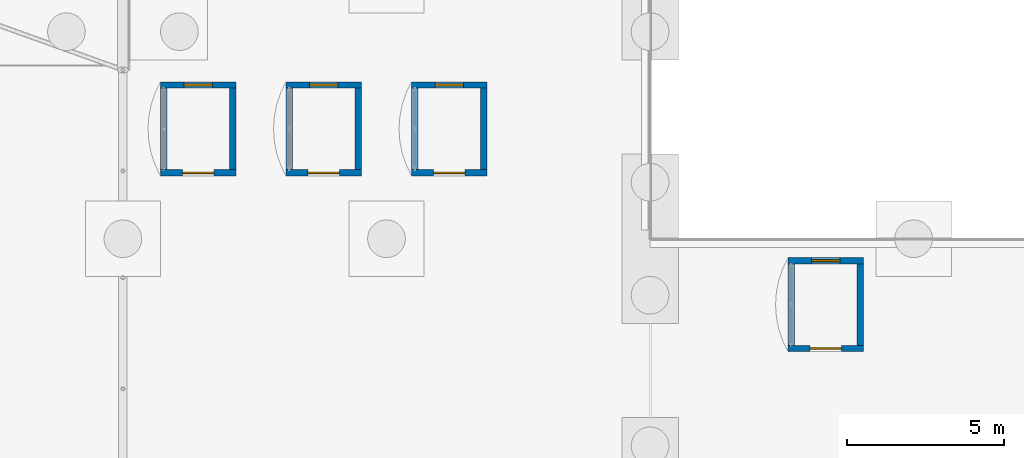
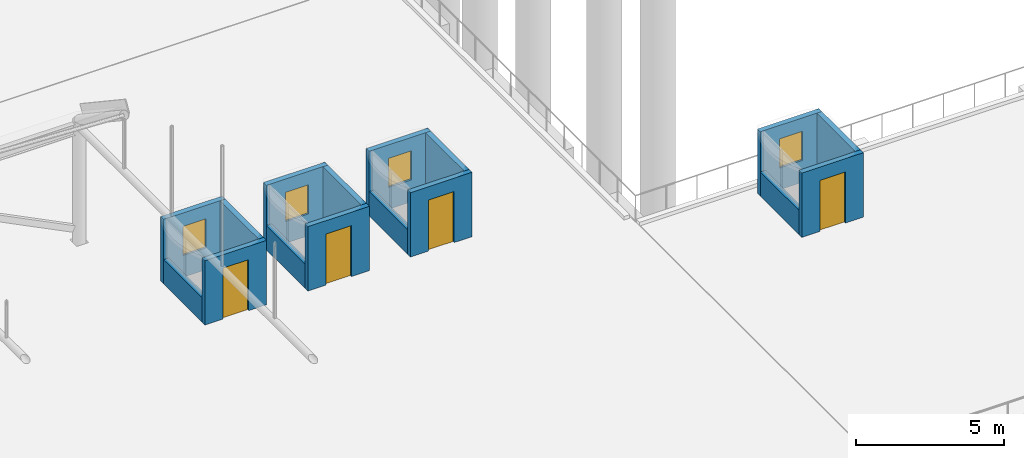
# One storey, part 180 of 212: 16 walls, 4 doors, 4 windows, 8 openings.
"""IFC4 building model written with IfcOpenShell, lengths in metres."""

from ifc_helpers import new_model, si_unit, direction, frame, frame_2d, origin, place, context, subcontext, project, spatial, rectangle, extrude, material, layer, layer_set, type_object, element, fill, save


model = new_model("IFC4")

# Units and contexts
model_context = context("Model", 3, precision=1e-05, world=origin(), true_north=direction((0.0, 1.0)))
body_context = subcontext(model_context, "Body", "Model", "MODEL_VIEW")
ifc_project = project(units=[si_unit("LENGTHUNIT", "METRE"), si_unit("AREAUNIT", "SQUARE_METRE"), si_unit("VOLUMEUNIT", "CUBIC_METRE"), si_unit("PLANEANGLEUNIT", "RADIAN"), si_unit("MASSUNIT", "GRAM", prefix="KILO")], contexts=[model_context])

# Site, building, storey
site_placement = place(None, origin())
site = spatial("IfcSite", under=ifc_project, at=site_placement, CompositionType="ELEMENT")
building_placement = place(site_placement, origin())
building = spatial("IfcBuilding", under=site, at=building_placement, Name="Catenary Quay Ferry Terminal", CompositionType="ELEMENT")
storey_placement = place(building_placement, origin())
storey = spatial("IfcBuildingStorey", under=building, at=storey_placement, Name="L00", CompositionType="ELEMENT", Elevation=0.0)

# Wall, opening, door
ifc_material_1 = material(Name="Masonry and insulation", Category="masonry")
ifc_layer = layer(ifc_material_1, 0.199951171875)
ifc_layer_set = layer_set([ifc_layer], Name="EW3")
wall_type = type_object("IfcWallType", Name="EW3", PredefinedType="SOLIDWALL", material=ifc_layer_set)
wall_1_placement = place(storey_placement, frame((102.0, 44.10009765625, 0.0), z_axis=(0.0, 0.0, 1.0), x_axis=(1.0, 0.0, 0.0)))
wall_1 = element("IfcWall", 1, at=wall_1_placement, inside=storey, type_object=wall_type, Name="Booth wall WL246", PredefinedType="SOLIDWALL", context=body_context, shape_type="SweptSolid", body=[
    extrude(rectangle(XDim=2.39990234375, YDim=0.199951171875, at=frame_2d((1.199951171875, 0.0))), origin(), (0.0, 0.0, 1.0), 2.64990234375),
])
opening_1_placement = place(wall_1_placement, frame((0.699951171875, 0.0, 0.0)))
opening_1 = element("IfcOpeningElement", 2, at=opening_1_placement, cuts=wall_1, Name="Opening D39", PredefinedType="OPENING", context=body_context, shape_type="SweptSolid", body=[
    extrude(rectangle(XDim=1.0, YDim=2.10009765625, at=frame_2d((0.5, 1.050048828125))), frame((0.0, 0.10986328125, 0.0), z_axis=(0.0, -1.0, 0.0), x_axis=(1.0, 0.0, 0.0)), (0.0, 0.0, 1.0), 0.219970703125),
])
ifc_material_2 = material(Name="Steel", Category="steel")
door_type = type_object("IfcDoorType", Name="DX8", OperationType="SINGLE_SWING_LEFT", PredefinedType="DOOR", material=ifc_material_2)
door_1_placement = place(opening_1_placement, frame((1.0, 0.0, 0.0), z_axis=(0.0, 0.0, 1.0), x_axis=(-1.0, 0.0, 0.0)))
door_1 = element("IfcDoor", 3, at=door_1_placement, inside=storey, type_object=door_type, Name="Booth door D39", OperationType="SINGLE_SWING_RIGHT", OverallHeight=2.10009765625, OverallWidth=1.0, PredefinedType="DOOR", context=body_context, shape_type="SweptSolid", body=[
    extrude(rectangle(XDim=1.0, YDim=2.10009765625, at=frame_2d((0.5, 1.050048828125))), frame((0.0, 0.02490234375, 0.0), z_axis=(0.0, -1.0, 0.0), x_axis=(1.0, 0.0, 0.0)), (0.0, 0.0, 1.0), 0.050048828125),
])
fill(opening_1, door_1)

# Wall, opening, window
wall_2_placement = place(storey_placement, frame((102.0, 46.89990234375, 0.0), z_axis=(0.0, 0.0, 1.0), x_axis=(1.0, 0.0, 0.0)))
wall_2 = element("IfcWall", 4, at=wall_2_placement, inside=storey, type_object=wall_type, Name="Booth wall WL247", PredefinedType="SOLIDWALL", context=body_context, shape_type="SweptSolid", body=[
    extrude(rectangle(XDim=2.39990234375, YDim=0.199951171875, at=frame_2d((1.199951171875, 0.0))), origin(), (0.0, 0.0, 1.0), 2.64990234375),
])
opening_2_placement = place(wall_2_placement, frame((0.75, 0.0, 0.89990234375)))
opening_2 = element("IfcOpeningElement", 5, at=opening_2_placement, cuts=wall_2, Name="Opening W51", PredefinedType="OPENING", context=body_context, shape_type="SweptSolid", body=[
    extrude(rectangle(XDim=0.89990234375, YDim=1.199951171875, at=frame_2d((0.449951171875, 0.60009765625))), frame((0.0, 0.10986328125, 0.0), z_axis=(0.0, -1.0, 0.0), x_axis=(1.0, 0.0, 0.0)), (0.0, 0.0, 1.0), 0.219970703125),
])
ifc_material_3 = material(Name="Aluminium and glass", Category="aluminium")
window_type = type_object("IfcWindowType", Name="WB2", PartitioningType="SINGLE_PANEL", PredefinedType="WINDOW", material=ifc_material_3)
window_1_placement = place(opening_2_placement, origin())
window_1 = element("IfcWindow", 6, at=window_1_placement, inside=storey, type_object=window_type, Name="Booth side window W51", OverallHeight=1.199951171875, OverallWidth=0.89990234375, PartitioningType="SINGLE_PANEL", PredefinedType="WINDOW", context=body_context, shape_type="SweptSolid", body=[
    extrude(rectangle(XDim=0.89990234375, YDim=1.199951171875, at=frame_2d((0.449951171875, 0.60009765625))), frame((0.0, 0.030029296875, 0.0), z_axis=(0.0, -1.0, 0.0), x_axis=(1.0, 0.0, 0.0)), (0.0, 0.0, 1.0), 0.06005859375),
])
fill(opening_2, window_1)

# Walls
wall_3_placement = place(storey_placement, frame((102.10009765625, 44.199951171875, 0.0), z_axis=(0.0, 0.0, 1.0), x_axis=(0.0, 1.0, 0.0)))
element("IfcWall", 7, at=wall_3_placement, inside=storey, type_object=wall_type, Name="Booth wall WL248", PredefinedType="SOLIDWALL", context=body_context, shape_type="SweptSolid", body=[
    extrude(rectangle(XDim=2.60009765625, YDim=0.199951171875, at=frame_2d((1.300048828125, 0.0))), origin(), (0.0, 0.0, 1.0), 1.0),
])
wall_4_placement = place(storey_placement, frame((104.300048828125, 44.199951171875, 0.0), z_axis=(0.0, 0.0, 1.0), x_axis=(0.0, 1.0, 0.0)))
element("IfcWall", 8, at=wall_4_placement, inside=storey, type_object=wall_type, Name="Booth wall WL249", PredefinedType="SOLIDWALL", context=body_context, shape_type="SweptSolid", body=[
    extrude(rectangle(XDim=2.60009765625, YDim=0.199951171875, at=frame_2d((1.300048828125, 0.0))), origin(), (0.0, 0.0, 1.0), 2.64990234375),
])

# Wall, opening, door
wall_5_placement = place(storey_placement, frame((106.0, 44.10009765625, 0.0), z_axis=(0.0, 0.0, 1.0), x_axis=(1.0, 0.0, 0.0)))
wall_5 = element("IfcWall", 9, at=wall_5_placement, inside=storey, type_object=wall_type, Name="Booth wall WL250", PredefinedType="SOLIDWALL", context=body_context, shape_type="SweptSolid", body=[
    extrude(rectangle(XDim=2.39990234375, YDim=0.199951171875, at=frame_2d((1.199951171875, 0.0))), origin(), (0.0, 0.0, 1.0), 2.64990234375),
])
opening_3_placement = place(wall_5_placement, frame((0.699951171875, 0.0, 0.0)))
opening_3 = element("IfcOpeningElement", 10, at=opening_3_placement, cuts=wall_5, Name="Opening D40", PredefinedType="OPENING", context=body_context, shape_type="SweptSolid", body=[
    extrude(rectangle(XDim=1.0, YDim=2.10009765625, at=frame_2d((0.5, 1.050048828125))), frame((0.0, 0.10986328125, 0.0), z_axis=(0.0, -1.0, 0.0), x_axis=(1.0, 0.0, 0.0)), (0.0, 0.0, 1.0), 0.219970703125),
])
door_2_placement = place(opening_3_placement, frame((1.0, 0.0, 0.0), z_axis=(0.0, 0.0, 1.0), x_axis=(-1.0, 0.0, 0.0)))
door_2 = element("IfcDoor", 11, at=door_2_placement, inside=storey, type_object=door_type, Name="Booth door D40", OperationType="SINGLE_SWING_RIGHT", OverallHeight=2.10009765625, OverallWidth=1.0, PredefinedType="DOOR", context=body_context, shape_type="SweptSolid", body=[
    extrude(rectangle(XDim=1.0, YDim=2.10009765625, at=frame_2d((0.5, 1.050048828125))), frame((0.0, 0.02490234375, 0.0), z_axis=(0.0, -1.0, 0.0), x_axis=(1.0, 0.0, 0.0)), (0.0, 0.0, 1.0), 0.050048828125),
])
fill(opening_3, door_2)

# Wall, opening, window
wall_6_placement = place(storey_placement, frame((106.0, 46.89990234375, 0.0), z_axis=(0.0, 0.0, 1.0), x_axis=(1.0, 0.0, 0.0)))
wall_6 = element("IfcWall", 12, at=wall_6_placement, inside=storey, type_object=wall_type, Name="Booth wall WL251", PredefinedType="SOLIDWALL", context=body_context, shape_type="SweptSolid", body=[
    extrude(rectangle(XDim=2.39990234375, YDim=0.199951171875, at=frame_2d((1.199951171875, 0.0))), origin(), (0.0, 0.0, 1.0), 2.64990234375),
])
opening_4_placement = place(wall_6_placement, frame((0.75, 0.0, 0.89990234375)))
opening_4 = element("IfcOpeningElement", 13, at=opening_4_placement, cuts=wall_6, Name="Opening W52", PredefinedType="OPENING", context=body_context, shape_type="SweptSolid", body=[
    extrude(rectangle(XDim=0.89990234375, YDim=1.199951171875, at=frame_2d((0.449951171875, 0.60009765625))), frame((0.0, 0.10986328125, 0.0), z_axis=(0.0, -1.0, 0.0), x_axis=(1.0, 0.0, 0.0)), (0.0, 0.0, 1.0), 0.219970703125),
])
window_2_placement = place(opening_4_placement, origin())
window_2 = element("IfcWindow", 14, at=window_2_placement, inside=storey, type_object=window_type, Name="Booth side window W52", OverallHeight=1.199951171875, OverallWidth=0.89990234375, PartitioningType="SINGLE_PANEL", PredefinedType="WINDOW", context=body_context, shape_type="SweptSolid", body=[
    extrude(rectangle(XDim=0.89990234375, YDim=1.199951171875, at=frame_2d((0.449951171875, 0.60009765625))), frame((0.0, 0.030029296875, 0.0), z_axis=(0.0, -1.0, 0.0), x_axis=(1.0, 0.0, 0.0)), (0.0, 0.0, 1.0), 0.06005859375),
])
fill(opening_4, window_2)

# Walls
wall_7_placement = place(storey_placement, frame((106.10009765625, 44.199951171875, 0.0), z_axis=(0.0, 0.0, 1.0), x_axis=(0.0, 1.0, 0.0)))
element("IfcWall", 15, at=wall_7_placement, inside=storey, type_object=wall_type, Name="Booth wall WL252", PredefinedType="SOLIDWALL", context=body_context, shape_type="SweptSolid", body=[
    extrude(rectangle(XDim=2.60009765625, YDim=0.199951171875, at=frame_2d((1.300048828125, 0.0))), origin(), (0.0, 0.0, 1.0), 1.0),
])
wall_8_placement = place(storey_placement, frame((108.300048828125, 44.199951171875, 0.0), z_axis=(0.0, 0.0, 1.0), x_axis=(0.0, 1.0, 0.0)))
element("IfcWall", 16, at=wall_8_placement, inside=storey, type_object=wall_type, Name="Booth wall WL253", PredefinedType="SOLIDWALL", context=body_context, shape_type="SweptSolid", body=[
    extrude(rectangle(XDim=2.60009765625, YDim=0.199951171875, at=frame_2d((1.300048828125, 0.0))), origin(), (0.0, 0.0, 1.0), 2.64990234375),
])

# Wall, opening, door
wall_9_placement = place(storey_placement, frame((110.0, 44.10009765625, 0.0), z_axis=(0.0, 0.0, 1.0), x_axis=(1.0, 0.0, 0.0)))
wall_9 = element("IfcWall", 17, at=wall_9_placement, inside=storey, type_object=wall_type, Name="Booth wall WL254", PredefinedType="SOLIDWALL", context=body_context, shape_type="SweptSolid", body=[
    extrude(rectangle(XDim=2.39990234375, YDim=0.199951171875, at=frame_2d((1.199951171875, 0.0))), origin(), (0.0, 0.0, 1.0), 2.64990234375),
])
opening_5_placement = place(wall_9_placement, frame((0.699951171875, 0.0, 0.0)))
opening_5 = element("IfcOpeningElement", 18, at=opening_5_placement, cuts=wall_9, Name="Opening D41", PredefinedType="OPENING", context=body_context, shape_type="SweptSolid", body=[
    extrude(rectangle(XDim=1.0, YDim=2.10009765625, at=frame_2d((0.5, 1.050048828125))), frame((0.0, 0.10986328125, 0.0), z_axis=(0.0, -1.0, 0.0), x_axis=(1.0, 0.0, 0.0)), (0.0, 0.0, 1.0), 0.219970703125),
])
door_3_placement = place(opening_5_placement, frame((1.0, 0.0, 0.0), z_axis=(0.0, 0.0, 1.0), x_axis=(-1.0, 0.0, 0.0)))
door_3 = element("IfcDoor", 19, at=door_3_placement, inside=storey, type_object=door_type, Name="Booth door D41", OperationType="SINGLE_SWING_RIGHT", OverallHeight=2.10009765625, OverallWidth=1.0, PredefinedType="DOOR", context=body_context, shape_type="SweptSolid", body=[
    extrude(rectangle(XDim=1.0, YDim=2.10009765625, at=frame_2d((0.5, 1.050048828125))), frame((0.0, 0.02490234375, 0.0), z_axis=(0.0, -1.0, 0.0), x_axis=(1.0, 0.0, 0.0)), (0.0, 0.0, 1.0), 0.050048828125),
])
fill(opening_5, door_3)

# Wall, opening, window
wall_10_placement = place(storey_placement, frame((110.0, 46.89990234375, 0.0), z_axis=(0.0, 0.0, 1.0), x_axis=(1.0, 0.0, 0.0)))
wall_10 = element("IfcWall", 20, at=wall_10_placement, inside=storey, type_object=wall_type, Name="Booth wall WL255", PredefinedType="SOLIDWALL", context=body_context, shape_type="SweptSolid", body=[
    extrude(rectangle(XDim=2.39990234375, YDim=0.199951171875, at=frame_2d((1.199951171875, 0.0))), origin(), (0.0, 0.0, 1.0), 2.64990234375),
])
opening_6_placement = place(wall_10_placement, frame((0.75, 0.0, 0.89990234375)))
opening_6 = element("IfcOpeningElement", 21, at=opening_6_placement, cuts=wall_10, Name="Opening W53", PredefinedType="OPENING", context=body_context, shape_type="SweptSolid", body=[
    extrude(rectangle(XDim=0.89990234375, YDim=1.199951171875, at=frame_2d((0.449951171875, 0.60009765625))), frame((0.0, 0.10986328125, 0.0), z_axis=(0.0, -1.0, 0.0), x_axis=(1.0, 0.0, 0.0)), (0.0, 0.0, 1.0), 0.219970703125),
])
window_3_placement = place(opening_6_placement, origin())
window_3 = element("IfcWindow", 22, at=window_3_placement, inside=storey, type_object=window_type, Name="Booth side window W53", OverallHeight=1.199951171875, OverallWidth=0.89990234375, PartitioningType="SINGLE_PANEL", PredefinedType="WINDOW", context=body_context, shape_type="SweptSolid", body=[
    extrude(rectangle(XDim=0.89990234375, YDim=1.199951171875, at=frame_2d((0.449951171875, 0.60009765625))), frame((0.0, 0.030029296875, 0.0), z_axis=(0.0, -1.0, 0.0), x_axis=(1.0, 0.0, 0.0)), (0.0, 0.0, 1.0), 0.06005859375),
])
fill(opening_6, window_3)

# Walls
wall_11_placement = place(storey_placement, frame((110.10009765625, 44.199951171875, 0.0), z_axis=(0.0, 0.0, 1.0), x_axis=(0.0, 1.0, 0.0)))
element("IfcWall", 23, at=wall_11_placement, inside=storey, type_object=wall_type, Name="Booth wall WL256", PredefinedType="SOLIDWALL", context=body_context, shape_type="SweptSolid", body=[
    extrude(rectangle(XDim=2.60009765625, YDim=0.199951171875, at=frame_2d((1.300048828125, 0.0))), origin(), (0.0, 0.0, 1.0), 1.0),
])
wall_12_placement = place(storey_placement, frame((112.300048828125, 44.199951171875, 0.0), z_axis=(0.0, 0.0, 1.0), x_axis=(0.0, 1.0, 0.0)))
element("IfcWall", 24, at=wall_12_placement, inside=storey, type_object=wall_type, Name="Booth wall WL257", PredefinedType="SOLIDWALL", context=body_context, shape_type="SweptSolid", body=[
    extrude(rectangle(XDim=2.60009765625, YDim=0.199951171875, at=frame_2d((1.300048828125, 0.0))), origin(), (0.0, 0.0, 1.0), 2.64990234375),
])

# Wall, opening, door
wall_13_placement = place(storey_placement, frame((122.0, 38.5, 0.0), z_axis=(0.0, 0.0, 1.0), x_axis=(1.0, 0.0, 0.0)))
wall_13 = element("IfcWall", 25, at=wall_13_placement, inside=storey, type_object=wall_type, Name="Booth wall WL258", PredefinedType="SOLIDWALL", context=body_context, shape_type="SweptSolid", body=[
    extrude(rectangle(XDim=2.39990234375, YDim=0.199951171875, at=frame_2d((1.199951171875, 0.0))), origin(), (0.0, 0.0, 1.0), 2.64990234375),
])
opening_7_placement = place(wall_13_placement, frame((0.699951171875, 0.0, 0.0)))
opening_7 = element("IfcOpeningElement", 26, at=opening_7_placement, cuts=wall_13, Name="Opening D42", PredefinedType="OPENING", context=body_context, shape_type="SweptSolid", body=[
    extrude(rectangle(XDim=1.0, YDim=2.10009765625, at=frame_2d((0.5, 1.050048828125))), frame((0.0, 0.10986328125, 0.0), z_axis=(0.0, -1.0, 0.0), x_axis=(1.0, 0.0, 0.0)), (0.0, 0.0, 1.0), 0.219970703125),
])
door_4_placement = place(opening_7_placement, frame((1.0, 0.0, 0.0), z_axis=(0.0, 0.0, 1.0), x_axis=(-1.0, 0.0, 0.0)))
door_4 = element("IfcDoor", 27, at=door_4_placement, inside=storey, type_object=door_type, Name="Booth door D42", OperationType="SINGLE_SWING_RIGHT", OverallHeight=2.10009765625, OverallWidth=1.0, PredefinedType="DOOR", context=body_context, shape_type="SweptSolid", body=[
    extrude(rectangle(XDim=1.0, YDim=2.10009765625, at=frame_2d((0.5, 1.050048828125))), frame((0.0, 0.02490234375, 0.0), z_axis=(0.0, -1.0, 0.0), x_axis=(1.0, 0.0, 0.0)), (0.0, 0.0, 1.0), 0.050048828125),
])
fill(opening_7, door_4)

# Wall, opening, window
wall_14_placement = place(storey_placement, frame((122.0, 41.300048828125, 0.0), z_axis=(0.0, 0.0, 1.0), x_axis=(1.0, 0.0, 0.0)))
wall_14 = element("IfcWall", 28, at=wall_14_placement, inside=storey, type_object=wall_type, Name="Booth wall WL259", PredefinedType="SOLIDWALL", context=body_context, shape_type="SweptSolid", body=[
    extrude(rectangle(XDim=2.39990234375, YDim=0.199951171875, at=frame_2d((1.199951171875, 0.0))), origin(), (0.0, 0.0, 1.0), 2.64990234375),
])
opening_8_placement = place(wall_14_placement, frame((0.75, 0.0, 0.89990234375)))
opening_8 = element("IfcOpeningElement", 29, at=opening_8_placement, cuts=wall_14, Name="Opening W54", PredefinedType="OPENING", context=body_context, shape_type="SweptSolid", body=[
    extrude(rectangle(XDim=0.89990234375, YDim=1.199951171875, at=frame_2d((0.449951171875, 0.60009765625))), frame((0.0, 0.10986328125, 0.0), z_axis=(0.0, -1.0, 0.0), x_axis=(1.0, 0.0, 0.0)), (0.0, 0.0, 1.0), 0.219970703125),
])
window_4_placement = place(opening_8_placement, origin())
window_4 = element("IfcWindow", 30, at=window_4_placement, inside=storey, type_object=window_type, Name="Booth side window W54", OverallHeight=1.199951171875, OverallWidth=0.89990234375, PartitioningType="SINGLE_PANEL", PredefinedType="WINDOW", context=body_context, shape_type="SweptSolid", body=[
    extrude(rectangle(XDim=0.89990234375, YDim=1.199951171875, at=frame_2d((0.449951171875, 0.60009765625))), frame((0.0, 0.030029296875, 0.0), z_axis=(0.0, -1.0, 0.0), x_axis=(1.0, 0.0, 0.0)), (0.0, 0.0, 1.0), 0.06005859375),
])
fill(opening_8, window_4)

# Walls
wall_15_placement = place(storey_placement, frame((122.10009765625, 38.60009765625, 0.0), z_axis=(0.0, 0.0, 1.0), x_axis=(0.0, 1.0, 0.0)))
element("IfcWall", 31, at=wall_15_placement, inside=storey, type_object=wall_type, Name="Booth wall WL260", PredefinedType="SOLIDWALL", context=body_context, shape_type="SweptSolid", body=[
    extrude(rectangle(XDim=2.599853515625, YDim=0.199951171875, at=frame_2d((1.2998046875, 0.0))), origin(), (0.0, 0.0, 1.0), 1.0),
])
wall_16_placement = place(storey_placement, frame((124.300048828125, 38.60009765625, 0.0), z_axis=(0.0, 0.0, 1.0), x_axis=(0.0, 1.0, 0.0)))
element("IfcWall", 32, at=wall_16_placement, inside=storey, type_object=wall_type, Name="Booth wall WL261", PredefinedType="SOLIDWALL", context=body_context, shape_type="SweptSolid", body=[
    extrude(rectangle(XDim=2.599853515625, YDim=0.199951171875, at=frame_2d((1.2998046875, 0.0))), origin(), (0.0, 0.0, 1.0), 2.64990234375),
])

save(model, "model.ifc")
